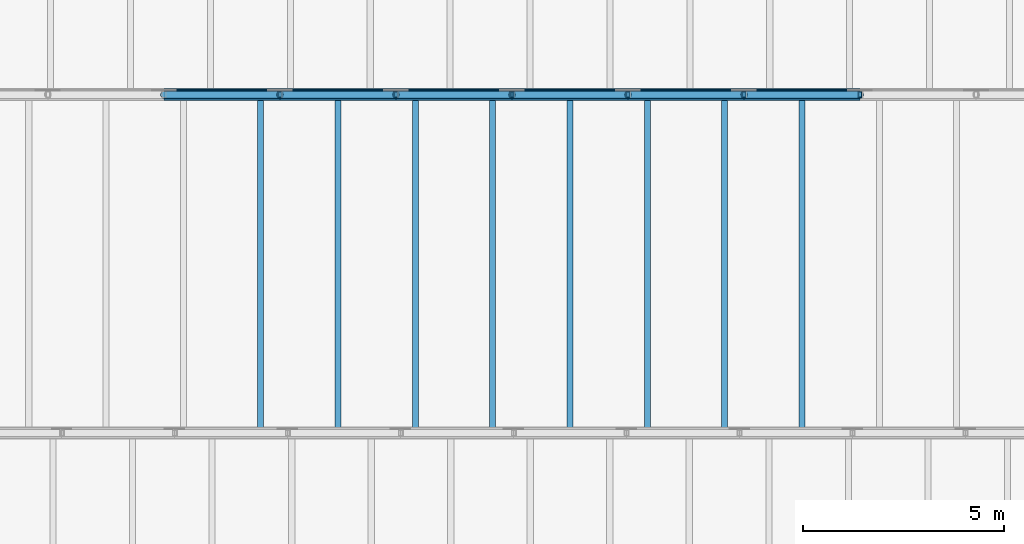
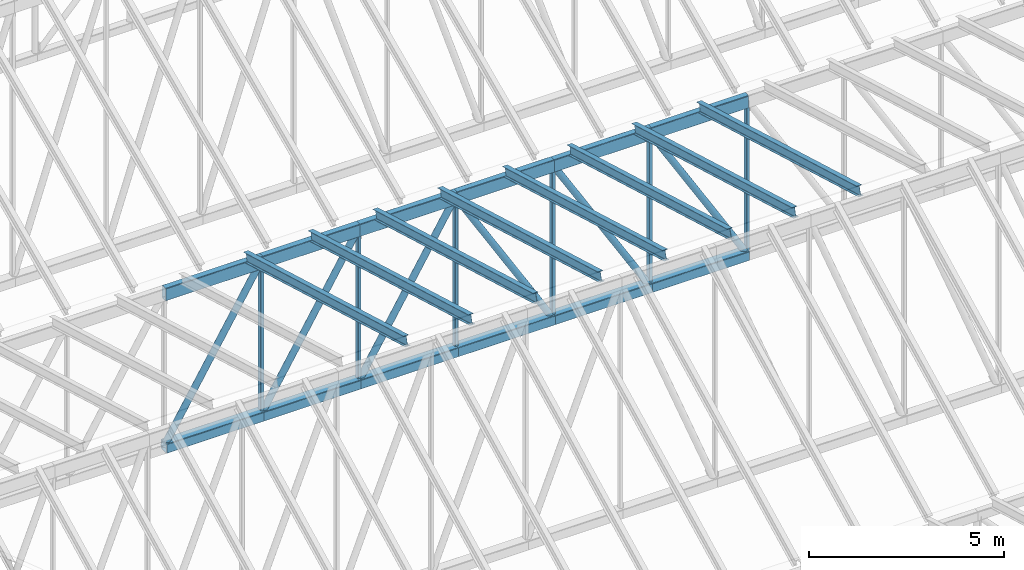
# One storey, part 21 of 68: 20 members, 12 beams.
"""IFC4 building model written with IfcOpenShell, lengths in metres."""

from ifc_helpers import new_model, si_unit, direction, frame, origin, origin_2d, place, context, subcontext, project, spatial, hollow_rectangle, hollow_circle, i_section, extrude, material, material_profile, profile_set, type_object, element, save


model = new_model("IFC4")

# Units and contexts
model_context = context("Model", 3, precision=1e-05, world=origin(), true_north=direction((0.0, 1.0)))
body_context = subcontext(model_context, "Body", "Model", "MODEL_VIEW")
ifc_project = project(units=[si_unit("LENGTHUNIT", "METRE"), si_unit("AREAUNIT", "SQUARE_METRE"), si_unit("VOLUMEUNIT", "CUBIC_METRE"), si_unit("PLANEANGLEUNIT", "RADIAN"), si_unit("MASSUNIT", "GRAM", prefix="KILO")], contexts=[model_context])

# Site, building, storey
site_placement = place(None, origin())
site = spatial("IfcSite", under=ifc_project, at=site_placement, CompositionType="ELEMENT")
building_placement = place(site_placement, origin())
building = spatial("IfcBuilding", under=site, at=building_placement, Name="Larchfold Concert Hall", CompositionType="ELEMENT")
storey_placement = place(building_placement, frame((0.0, 0.0, 28.800048828125)))
storey = spatial("IfcBuildingStorey", under=building, at=storey_placement, Name="L06", CompositionType="ELEMENT", Elevation=28.800048828125)

# Members
ifc_material_1 = material(Name="Steel S355", Category="steel")
ifc_material_profile_1 = material_profile(ifc_material_1, i_section(OverallWidth=0.14990234375, OverallDepth=0.300048828125, WebThickness=0.007080078125, FlangeThickness=0.0107421875, FilletRadius=0.014892578125, at=origin_2d()))
ifc_profile_set_1 = profile_set([ifc_material_profile_1], Name="Steel S355")
member_type_1 = type_object("IfcMemberType", Name="Rafter IPE 300", PredefinedType="RAFTER", material=ifc_profile_set_1)
for number, where, z_axis, x_axis, name in (
    (1, (34.921630859375, 76.880126953125, 7.50634765625), (0.0, 0.961530397894, -0.274698551007), (-1.0, 0.0, 0.0), "Member RF0049"),
    (2, (36.841064453125, 76.880126953125, 7.50634765625), (0.0, 0.961530397894, -0.274698551007), (-1.0, 0.0, 0.0), "Member RF0050"),
    (3, (38.7607421875, 76.880126953125, 7.50634765625), (0.0, 0.961530397894, -0.274698551007), (-1.0, 0.0, 0.0), "Member RF0051"),
    (4, (40.680419921875, 76.880126953125, 7.50634765625), (0.0, 0.961530397894, -0.274698551007), (-1.0, 0.0, 0.0), "Member RF0052"),
    (5, (42.60009765625, 76.880126953125, 7.50634765625), (0.0, 0.961530397894, -0.274698551007), (-1.0, 0.0, 0.0), "Member RF0053"),
    (6, (44.519775390625, 76.880126953125, 7.50634765625), (0.0, 0.961530397894, -0.274698551007), (-1.0, 0.0, 0.0), "Member RF0054"),
    (7, (46.439453125, 76.880126953125, 7.50634765625), (0.0, 0.961530397894, -0.274698551007), (-1.0, 0.0, 0.0), "Member RF0055"),
    (8, (48.359130859375, 76.880126953125, 7.50634765625), (0.0, 0.961530397894, -0.274698551007), (-1.0, 0.0, 0.0), "Member RF0056"),
):
    element("IfcMember", number, at=place(storey_placement, frame(where, z_axis=z_axis, x_axis=x_axis)), inside=storey, type_object=member_type_1, Name=name, PredefinedType="RAFTER", context=body_context, shape_type="SweptSolid", body=[
        extrude(i_section(OverallWidth=0.14990234375, OverallDepth=0.300048828125, WebThickness=0.007080078125, FlangeThickness=0.0107421875, FilletRadius=0.014892578125, at=origin_2d()), origin(), (0.0, 0.0, 1.0), 8.5693359375),
    ])

# Beams
ifc_material_2 = material(Name="Steel S355J2H", Category="steel")
ifc_material_profile_2 = material_profile(ifc_material_2, hollow_rectangle(XDim=0.199951171875, YDim=0.39990234375, WallThickness=0.012451171875, InnerFilletRadius=0.018798828125, OuterFilletRadius=0.03125, at=origin_2d()))
ifc_profile_set_2 = profile_set([ifc_material_profile_2], Name="Steel S355J2H")
beam_type_1 = type_object("IfcBeamType", Name="Truss chord RHS 400x200x12.5", PredefinedType="BEAM", material=ifc_profile_set_2)
beam_1_placement = place(storey_placement, frame((32.518310546875, 85.199951171875, 4.800048828125), z_axis=(1.0, 0.0, 0.0), x_axis=(0.0, 1.0, 0.0)))
element("IfcBeam", 9, at=beam_1_placement, inside=storey, type_object=beam_type_1, Name="Beam FT4T06", PredefinedType="BEAM", context=body_context, shape_type="SweptSolid", body=[
    extrude(hollow_rectangle(XDim=0.199951171875, YDim=0.39990234375, WallThickness=0.012451171875, InnerFilletRadius=0.018798828125, OuterFilletRadius=0.03125, at=origin_2d()), origin(), (0.0, 0.0, 1.0), 2.88037109375),
])
for number, where, z_axis, x_axis, name in (
    (10, (35.398681640625, 85.199951171875, 4.800048828125), (1.0, 0.0, 0.0), (0.0, 1.0, 0.0), "Beam FT4T07"),
    (11, (38.279296875, 85.199951171875, 4.800048828125), (1.0, 0.0, 0.0), (0.0, 1.0, 0.0), "Beam FT4T08"),
):
    element("IfcBeam", number, at=place(storey_placement, frame(where, z_axis=z_axis, x_axis=x_axis)), inside=storey, type_object=beam_type_1, Name=name, PredefinedType="BEAM", context=body_context, shape_type="SweptSolid", body=[
        extrude(hollow_rectangle(XDim=0.199951171875, YDim=0.39990234375, WallThickness=0.012451171875, InnerFilletRadius=0.018798828125, OuterFilletRadius=0.03125, at=origin_2d()), origin(), (0.0, 0.0, 1.0), 2.880615234375),
    ])
beam_2_placement = place(storey_placement, frame((41.159912109375, 85.199951171875, 4.800048828125), z_axis=(1.0, 0.0, 0.0), x_axis=(0.0, 1.0, 0.0)))
element("IfcBeam", 12, at=beam_2_placement, inside=storey, type_object=beam_type_1, Name="Beam FT4T09", PredefinedType="BEAM", context=body_context, shape_type="SweptSolid", body=[
    extrude(hollow_rectangle(XDim=0.199951171875, YDim=0.39990234375, WallThickness=0.012451171875, InnerFilletRadius=0.018798828125, OuterFilletRadius=0.03125, at=origin_2d()), origin(), (0.0, 0.0, 1.0), 2.88037109375),
])
for number, where, z_axis, x_axis, name in (
    (13, (44.040283203125, 85.199951171875, 4.800048828125), (1.0, 0.0, 0.0), (0.0, 1.0, 0.0), "Beam FT4T10"),
    (14, (46.9208984375, 85.199951171875, 4.800048828125), (1.0, 0.0, 0.0), (0.0, 1.0, 0.0), "Beam FT4T11"),
):
    element("IfcBeam", number, at=place(storey_placement, frame(where, z_axis=z_axis, x_axis=x_axis)), inside=storey, type_object=beam_type_1, Name=name, PredefinedType="BEAM", context=body_context, shape_type="SweptSolid", body=[
        extrude(hollow_rectangle(XDim=0.199951171875, YDim=0.39990234375, WallThickness=0.012451171875, InnerFilletRadius=0.018798828125, OuterFilletRadius=0.03125, at=origin_2d()), origin(), (0.0, 0.0, 1.0), 2.880615234375),
    ])

# Members
ifc_material_3 = material(Name="Steel S355J2H", Category="steel")
ifc_material_profile_3 = material_profile(ifc_material_3, hollow_rectangle(XDim=0.10009765625, YDim=0.14990234375, WallThickness=0.008056640625, InnerFilletRadius=0.008056640625, OuterFilletRadius=0.01611328125, at=origin_2d()))
ifc_profile_set_3 = profile_set([ifc_material_profile_3], Name="Steel S355J2H")
member_type_2 = type_object("IfcMemberType", Name="Truss post RHS 150x100x8", PredefinedType="POST", material=ifc_profile_set_3)
for number, where, z_axis, x_axis, name in (
    (15, (35.398681640625, 85.199951171875, 4.800048828125), (0.0, 0.0, -1.0), (1.0, 0.0, 0.0), "Member FT4V07"),
    (16, (38.279296875, 85.199951171875, 4.800048828125), (0.0, 0.0, -1.0), (1.0, 0.0, 0.0), "Member FT4V08"),
    (17, (41.159912109375, 85.199951171875, 4.800048828125), (0.0, 0.0, -1.0), (1.0, 0.0, 0.0), "Member FT4V09"),
    (18, (44.040283203125, 85.199951171875, 4.800048828125), (0.0, 0.0, -1.0), (1.0, 0.0, 0.0), "Member FT4V10"),
    (19, (46.9208984375, 85.199951171875, 4.800048828125), (0.0, 0.0, -1.0), (1.0, 0.0, 0.0), "Member FT4V11"),
    (20, (49.801513671875, 85.199951171875, 4.800048828125), (0.0, 0.0, -1.0), (1.0, 0.0, 0.0), "Member FT4V12"),
):
    element("IfcMember", number, at=place(storey_placement, frame(where, z_axis=z_axis, x_axis=x_axis)), inside=storey, type_object=member_type_2, Name=name, PredefinedType="POST", context=body_context, shape_type="SweptSolid", body=[
        extrude(hollow_rectangle(XDim=0.10009765625, YDim=0.14990234375, WallThickness=0.008056640625, InnerFilletRadius=0.008056640625, OuterFilletRadius=0.01611328125, at=origin_2d()), origin(), (0.0, 0.0, 1.0), 4.800048828125),
    ])

# Beams
ifc_material_4 = material(Name="Steel S355J2H", Category="steel")
ifc_material_profile_4 = material_profile(ifc_material_4, hollow_rectangle(XDim=0.300048828125, YDim=0.300048828125, WallThickness=0.012451171875, InnerFilletRadius=0.018798828125, OuterFilletRadius=0.03125, at=origin_2d()))
ifc_profile_set_4 = profile_set([ifc_material_profile_4], Name="Steel S355J2H")
beam_type_2 = type_object("IfcBeamType", Name="Truss tie SHS 300x300x12.5", PredefinedType="BEAM", material=ifc_profile_set_4)
beam_3_placement = place(storey_placement, frame((32.518310546875, 85.199951171875, 0.0), z_axis=(1.0, 0.0, 0.0), x_axis=(0.0, 1.0, 0.0)))
element("IfcBeam", 21, at=beam_3_placement, inside=storey, type_object=beam_type_2, Name="Beam FT4B06", PredefinedType="BEAM", context=body_context, shape_type="SweptSolid", body=[
    extrude(hollow_rectangle(XDim=0.300048828125, YDim=0.300048828125, WallThickness=0.012451171875, InnerFilletRadius=0.018798828125, OuterFilletRadius=0.03125, at=origin_2d()), origin(), (0.0, 0.0, 1.0), 2.88037109375),
])
for number, where, z_axis, x_axis, name in (
    (22, (35.398681640625, 85.199951171875, 0.0), (1.0, 0.0, 0.0), (0.0, 1.0, 0.0), "Beam FT4B07"),
    (23, (38.279296875, 85.199951171875, 0.0), (1.0, 0.0, 0.0), (0.0, 1.0, 0.0), "Beam FT4B08"),
):
    element("IfcBeam", number, at=place(storey_placement, frame(where, z_axis=z_axis, x_axis=x_axis)), inside=storey, type_object=beam_type_2, Name=name, PredefinedType="BEAM", context=body_context, shape_type="SweptSolid", body=[
        extrude(hollow_rectangle(XDim=0.300048828125, YDim=0.300048828125, WallThickness=0.012451171875, InnerFilletRadius=0.018798828125, OuterFilletRadius=0.03125, at=origin_2d()), origin(), (0.0, 0.0, 1.0), 2.880615234375),
    ])
beam_4_placement = place(storey_placement, frame((41.159912109375, 85.199951171875, 0.0), z_axis=(1.0, 0.0, 0.0), x_axis=(0.0, 1.0, 0.0)))
element("IfcBeam", 24, at=beam_4_placement, inside=storey, type_object=beam_type_2, Name="Beam FT4B09", PredefinedType="BEAM", context=body_context, shape_type="SweptSolid", body=[
    extrude(hollow_rectangle(XDim=0.300048828125, YDim=0.300048828125, WallThickness=0.012451171875, InnerFilletRadius=0.018798828125, OuterFilletRadius=0.03125, at=origin_2d()), origin(), (0.0, 0.0, 1.0), 2.88037109375),
])
for number, where, z_axis, x_axis, name in (
    (25, (44.040283203125, 85.199951171875, 0.0), (1.0, 0.0, 0.0), (0.0, 1.0, 0.0), "Beam FT4B10"),
    (26, (46.9208984375, 85.199951171875, 0.0), (1.0, 0.0, 0.0), (0.0, 1.0, 0.0), "Beam FT4B11"),
):
    element("IfcBeam", number, at=place(storey_placement, frame(where, z_axis=z_axis, x_axis=x_axis)), inside=storey, type_object=beam_type_2, Name=name, PredefinedType="BEAM", context=body_context, shape_type="SweptSolid", body=[
        extrude(hollow_rectangle(XDim=0.300048828125, YDim=0.300048828125, WallThickness=0.012451171875, InnerFilletRadius=0.018798828125, OuterFilletRadius=0.03125, at=origin_2d()), origin(), (0.0, 0.0, 1.0), 2.880615234375),
    ])

# Members
ifc_material_5 = material(Name="Steel S355J2H", Category="steel")
ifc_material_profile_5 = material_profile(ifc_material_5, hollow_circle(Radius=0.096923828125, WallThickness=0.008056640625, at=origin_2d()))
ifc_profile_set_5 = profile_set([ifc_material_profile_5], Name="Steel S355J2H")
member_type_3 = type_object("IfcMemberType", Name="Truss web CHS 193.7x8", PredefinedType="BRACE", material=ifc_profile_set_5)
member_1_placement = place(storey_placement, frame((32.518310546875, 85.199951171875, 0.0), z_axis=(0.514540649976, 0.0, 0.857465987385), x_axis=(0.0, 1.0, 0.0)))
element("IfcMember", 27, at=member_1_placement, inside=storey, type_object=member_type_3, Name="Member FT4D06", PredefinedType="BRACE", context=body_context, shape_type="SweptSolid", body=[
    extrude(hollow_circle(Radius=0.096923828125, WallThickness=0.008056640625, at=origin_2d()), origin(), (0.0, 0.0, 1.0), 5.597900390625),
])
for number, where, z_axis, x_axis, name in (
    (28, (35.398681640625, 85.199951171875, 0.0), (0.51457271492, 0.0, 0.85744674532), (0.0, 1.0, 0.0), "Member FT4D07"),
    (29, (38.279296875, 85.199951171875, 0.0), (0.51457271492, 0.0, 0.85744674532), (0.0, 1.0, 0.0), "Member FT4D08"),
):
    element("IfcMember", number, at=place(storey_placement, frame(where, z_axis=z_axis, x_axis=x_axis)), inside=storey, type_object=member_type_3, Name=name, PredefinedType="BRACE", context=body_context, shape_type="SweptSolid", body=[
        extrude(hollow_circle(Radius=0.096923828125, WallThickness=0.008056640625, at=origin_2d()), origin(), (0.0, 0.0, 1.0), 5.59814453125),
    ])
member_2_placement = place(storey_placement, frame((41.159912109375, 85.199951171875, 4.800048828125), z_axis=(0.514540649976, 0.0, -0.857465987385), x_axis=(0.0, 1.0, 0.0)))
element("IfcMember", 30, at=member_2_placement, inside=storey, type_object=member_type_3, Name="Member FT4D09", PredefinedType="BRACE", context=body_context, shape_type="SweptSolid", body=[
    extrude(hollow_circle(Radius=0.096923828125, WallThickness=0.008056640625, at=origin_2d()), origin(), (0.0, 0.0, 1.0), 5.597900390625),
])
for number, where, z_axis, x_axis, name in (
    (31, (44.040283203125, 85.199951171875, 4.800048828125), (0.51457271492, 0.0, -0.85744674532), (0.0, 1.0, 0.0), "Member FT4D10"),
    (32, (46.9208984375, 85.199951171875, 4.800048828125), (0.51457271492, 0.0, -0.85744674532), (0.0, 1.0, 0.0), "Member FT4D11"),
):
    element("IfcMember", number, at=place(storey_placement, frame(where, z_axis=z_axis, x_axis=x_axis)), inside=storey, type_object=member_type_3, Name=name, PredefinedType="BRACE", context=body_context, shape_type="SweptSolid", body=[
        extrude(hollow_circle(Radius=0.096923828125, WallThickness=0.008056640625, at=origin_2d()), origin(), (0.0, 0.0, 1.0), 5.59814453125),
    ])

save(model, "model.ifc")
